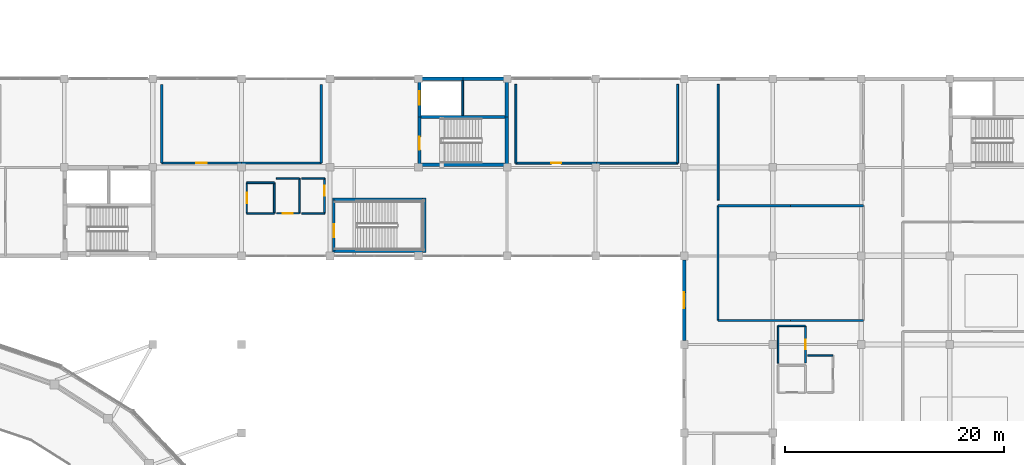
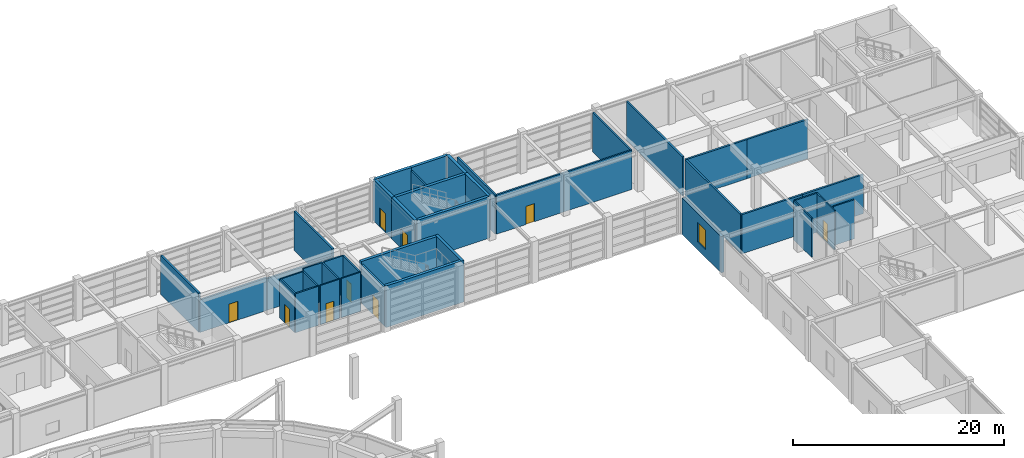
# One storey, part 46 of 58: 42 walls, 9 doors, 1 window, 10 openings.
"""IFC4 building model written with IfcOpenShell, lengths in metres."""

from ifc_helpers import new_model, si_unit, direction, frame, frame_2d, origin, place, context, subcontext, project, spatial, rectangle, extrude, material, layer, layer_set, type_object, element, fill, save


model = new_model("IFC4")

# Units and contexts
model_context = context("Model", 3, precision=1e-05, world=origin(), true_north=direction((0.0, 1.0)))
body_context = subcontext(model_context, "Body", "Model", "MODEL_VIEW")
ifc_project = project(units=[si_unit("LENGTHUNIT", "METRE"), si_unit("AREAUNIT", "SQUARE_METRE"), si_unit("VOLUMEUNIT", "CUBIC_METRE"), si_unit("PLANEANGLEUNIT", "RADIAN"), si_unit("MASSUNIT", "GRAM", prefix="KILO")], contexts=[model_context])

# Site, building, storey
site_placement = place(None, origin())
site = spatial("IfcSite", under=ifc_project, at=site_placement, CompositionType="ELEMENT")
building_placement = place(site_placement, origin())
building = spatial("IfcBuilding", under=site, at=building_placement, Name="Parian Resonance Hall", CompositionType="ELEMENT")
storey_placement = place(building_placement, frame((0.0, 0.0, 10.199951171875)))
storey = spatial("IfcBuildingStorey", under=building, at=storey_placement, Name="L02", CompositionType="ELEMENT", Elevation=10.199951171875)

# Wall, opening, door
ifc_material_1 = material(Name="Concrete C40/50", Category="concrete")
ifc_layer_1 = layer(ifc_material_1, 0.31005859375)
ifc_layer_set_1 = layer_set([ifc_layer_1], Name="Concrete C40/50")
wall_type_1 = type_object("IfcWallType", Name="CW310", PredefinedType="SHEAR", material=ifc_layer_set_1)
wall_1_placement = place(storey_placement, frame((89.18994140625, 81.25, 0.0), z_axis=(0.0, 0.0, 1.0), x_axis=(0.0, 1.0, 0.0)))
wall_1 = element("IfcWall", 1, at=wall_1_placement, inside=storey, type_object=wall_type_1, Name="Core K5 stairwell west shear wall L02", PredefinedType="SHEAR", context=body_context, shape_type="SweptSolid", body=[
    extrude(rectangle(XDim=4.360107421875, YDim=0.31005859375, at=frame_2d((2.18017578125, 0.0))), origin(), (0.0, 0.0, 1.0), 4.800048828125),
])
opening_1_placement = place(wall_1_placement, frame((1.35009765625, 0.0, 0.0)))
opening_1 = element("IfcOpeningElement", 2, at=opening_1_placement, cuts=wall_1, Name="Opening FD-01", PredefinedType="OPENING", context=body_context, shape_type="SweptSolid", body=[
    extrude(rectangle(XDim=1.199951171875, YDim=2.25, at=frame_2d((0.60009765625, 1.125))), frame((0.0, 0.1650390625, 0.0), z_axis=(0.0, -1.0, 0.0), x_axis=(1.0, 0.0, 0.0)), (0.0, 0.0, 1.0), 0.330078125),
])
ifc_material_2 = material(Name="Fire-rated acoustic steel and narra timber door", Category="steel")
door_type_1 = type_object("IfcDoorType", Name="FD-01", OperationType="NOTDEFINED", PredefinedType="DOOR", material=ifc_material_2)
door_1_placement = place(opening_1_placement, origin())
door_1 = element("IfcDoor", 3, at=door_1_placement, inside=storey, type_object=door_type_1, Name="Exit stair ST-05 fire door L02", OperationType="SINGLE_SWING_RIGHT", OverallHeight=2.25, OverallWidth=1.199951171875, PredefinedType="DOOR", context=body_context, shape_type="SweptSolid", body=[
    extrude(rectangle(XDim=1.199951171875, YDim=2.25, at=frame_2d((0.60009765625, 1.125))), frame((0.0, 0.02490234375, 0.0), z_axis=(0.0, -1.0, 0.0), x_axis=(1.0, 0.0, 0.0)), (0.0, 0.0, 1.0), 0.050048828125),
])
fill(opening_1, door_1)

wall_2_placement = place(storey_placement, frame((89.18994140625, 85.610107421875, 0.0), z_axis=(0.0, 0.0, 1.0), x_axis=(0.0, 1.0, 0.0)))
wall_2 = element("IfcWall", 4, at=wall_2_placement, inside=storey, type_object=wall_type_1, Name="Core K5 lift shaft west shear wall L02", PredefinedType="SHEAR", context=body_context, shape_type="SweptSolid", body=[
    extrude(rectangle(XDim=3.489990234375, YDim=0.31005859375, at=frame_2d((1.7451171875, 0.0))), origin(), (0.0, 0.0, 1.0), 4.800048828125),
])
opening_2_placement = place(wall_2_placement, frame((1.14501953125, 0.0, 0.0)))
opening_2 = element("IfcOpeningElement", 5, at=opening_2_placement, cuts=wall_2, Name="Opening LD-01", PredefinedType="OPENING", context=body_context, shape_type="SweptSolid", body=[
    extrude(rectangle(XDim=1.199951171875, YDim=2.199951171875, at=frame_2d((0.60009765625, 1.10009765625))), frame((0.0, 0.1650390625, 0.0), z_axis=(0.0, -1.0, 0.0), x_axis=(1.0, 0.0, 0.0)), (0.0, 0.0, 1.0), 0.330078125),
])
ifc_material_3 = material(Name="Stainless steel and bronze elevator cab", Category="steel")
door_type_2 = type_object("IfcDoorType", Name="DOOR-LIFT-1200x2200", OperationType="SLIDING_TO_LEFT", PredefinedType="DOOR", material=ifc_material_3)
door_2_placement = place(opening_2_placement, origin())
door_2 = element("IfcDoor", 6, at=door_2_placement, inside=storey, type_object=door_type_2, Name="Lift LF-06 sliding landing door L02", OperationType="SLIDING_TO_LEFT", OverallHeight=2.199951171875, OverallWidth=1.199951171875, PredefinedType="DOOR", context=body_context, shape_type="SweptSolid", body=[
    extrude(rectangle(XDim=1.199951171875, YDim=2.199951171875, at=frame_2d((0.60009765625, 1.10009765625))), frame((0.0, 0.02490234375, 0.0), z_axis=(0.0, -1.0, 0.0), x_axis=(1.0, 0.0, 0.0)), (0.0, 0.0, 1.0), 0.050048828125),
])
fill(opening_2, door_2)

# Walls
wall_3_placement = place(storey_placement, frame((89.18994140625, 89.10009765625, 0.0), z_axis=(0.0, 0.0, 1.0), x_axis=(1.0, 0.0, 0.0)))
element("IfcWall", 7, at=wall_3_placement, inside=storey, type_object=wall_type_1, Name="Core K5 north-west shaft wall L02", PredefinedType="SHEAR", context=body_context, shape_type="SweptSolid", body=[
    extrude(rectangle(XDim=3.9599609375, YDim=0.31005859375, at=frame_2d((1.97998046875, 0.0))), origin(), (0.0, 0.0, 1.0), 4.800048828125),
])
wall_4_placement = place(storey_placement, frame((93.14990234375, 89.10009765625, 0.0), z_axis=(0.0, 0.0, 1.0), x_axis=(1.0, 0.0, 0.0)))
element("IfcWall", 8, at=wall_4_placement, inside=storey, type_object=wall_type_1, Name="Core K5 north-east shaft wall L02", PredefinedType="SHEAR", context=body_context, shape_type="SweptSolid", body=[
    extrude(rectangle(XDim=4.02001953125, YDim=0.31005859375, at=frame_2d((2.010009765625, 0.0))), origin(), (0.0, 0.0, 1.0), 4.800048828125),
])
wall_5_placement = place(storey_placement, frame((97.169921875, 89.10009765625, 0.0), z_axis=(0.0, 0.0, 1.0), x_axis=(0.0, -1.0, 0.0)))
element("IfcWall", 9, at=wall_5_placement, inside=storey, type_object=wall_type_1, Name="Core K5 east shaft wall L02", PredefinedType="SHEAR", context=body_context, shape_type="SweptSolid", body=[
    extrude(rectangle(XDim=3.489990234375, YDim=0.31005859375, at=frame_2d((1.7451171875, 0.0))), origin(), (0.0, 0.0, 1.0), 4.800048828125),
])
wall_6_placement = place(storey_placement, frame((97.169921875, 85.610107421875, 0.0), z_axis=(0.0, 0.0, 1.0), x_axis=(0.0, -1.0, 0.0)))
element("IfcWall", 10, at=wall_6_placement, inside=storey, type_object=wall_type_1, Name="Core K5 stairwell east wall L02", PredefinedType="SHEAR", context=body_context, shape_type="SweptSolid", body=[
    extrude(rectangle(XDim=4.360107421875, YDim=0.31005859375, at=frame_2d((2.18017578125, 0.0))), origin(), (0.0, 0.0, 1.0), 4.800048828125),
])
for number, where, z_axis, x_axis, name in (
    (11, (97.169921875, 81.25, 0.0), (0.0, 0.0, 1.0), (-1.0, 0.0, 0.0), "Core K5 stairwell south wall L02"),
    (12, (89.18994140625, 85.610107421875, 0.0), (0.0, 0.0, 1.0), (1.0, 0.0, 0.0), "Core K5 stair-lift divider wall L02"),
):
    element("IfcWall", number, at=place(storey_placement, frame(where, z_axis=z_axis, x_axis=x_axis)), inside=storey, type_object=wall_type_1, Name=name, PredefinedType="SHEAR", context=body_context, shape_type="SweptSolid", body=[
        extrude(rectangle(XDim=7.97998046875, YDim=0.31005859375, at=frame_2d((3.989990234375, 0.0))), origin(), (0.0, 0.0, 1.0), 4.800048828125),
    ])
wall_7_placement = place(storey_placement, frame((81.25, 73.35009765625, 0.0), z_axis=(0.0, 0.0, 1.0), x_axis=(1.0, 0.0, 0.0)))
element("IfcWall", 13, at=wall_7_placement, inside=storey, type_object=wall_type_1, Name="Enclosed foyer exit stair ST-08 shear wall L02-S", PredefinedType="SHEAR", context=body_context, shape_type="SweptSolid", body=[
    extrude(rectangle(XDim=8.544921875, YDim=0.31005859375, at=frame_2d((4.2724609375, 0.0))), origin(), (0.0, 0.0, 1.0), 4.800048828125),
])
wall_8_placement = place(storey_placement, frame((89.639892578125, 73.195068359375, 0.0), z_axis=(0.0, 0.0, 1.0), x_axis=(0.0, 1.0, 0.0)))
element("IfcWall", 14, at=wall_8_placement, inside=storey, type_object=wall_type_1, Name="Enclosed foyer exit stair ST-08 shear wall L02-E", PredefinedType="SHEAR", context=body_context, shape_type="SweptSolid", body=[
    extrude(rectangle(XDim=4.989990234375, YDim=0.31005859375, at=frame_2d((2.4951171875, 0.0))), origin(), (0.0, 0.0, 1.0), 4.800048828125),
])
wall_9_placement = place(storey_placement, frame((89.794921875, 78.030029296875, 0.0), z_axis=(0.0, 0.0, 1.0), x_axis=(-1.0, 0.0, 0.0)))
element("IfcWall", 15, at=wall_9_placement, inside=storey, type_object=wall_type_1, Name="Enclosed foyer exit stair ST-08 shear wall L02-N", PredefinedType="SHEAR", context=body_context, shape_type="SweptSolid", body=[
    extrude(rectangle(XDim=8.544921875, YDim=0.31005859375, at=frame_2d((4.2724609375, 0.0))), origin(), (0.0, 0.0, 1.0), 4.800048828125),
])

# Wall, opening, window
ifc_material_4 = material(Name="Concrete C35/45 with Carcar coral-limestone ashlar", Category="masonry")
ifc_layer_2 = layer(ifc_material_4, 0.340087890625)
ifc_layer_set_2 = layer_set([ifc_layer_2], Name="Concrete C35/45 with Carcar coral-limestone ashlar")
wall_type_2 = type_object("IfcWallType", Name="EW-STONE-340", PredefinedType="SOLIDWALL", material=ifc_layer_set_2)
wall_10_placement = place(storey_placement, frame((113.39990234375, 72.550048828125, 0.0), z_axis=(0.0, 0.0, 1.0), x_axis=(0.0, -1.0, 0.0)))
wall_10 = element("IfcWall", 16, at=wall_10_placement, inside=storey, type_object=wall_type_2, Name="Perimeter closure wall L02", PredefinedType="SOLIDWALL", context=body_context, shape_type="SweptSolid", body=[
    extrude(rectangle(XDim=7.400146484375, YDim=0.340087890625, at=frame_2d((3.7001953125, 0.0))), origin(), (0.0, 0.0, 1.0), 4.18701171875),
])
opening_3_placement = place(wall_10_placement, frame((2.97509765625, 0.0, 0.89990234375)))
opening_3 = element("IfcOpeningElement", 17, at=opening_3_placement, cuts=wall_10, Name="Opening WN-23", PredefinedType="OPENING", context=body_context, shape_type="SweptSolid", body=[
    extrude(rectangle(XDim=1.449951171875, YDim=2.25, at=frame_2d((0.72509765625, 1.125))), frame((0.0, 0.179931640625, 0.0), z_axis=(0.0, -1.0, 0.0), x_axis=(1.0, 0.0, 0.0)), (0.0, 0.0, 1.0), 0.360107421875),
])
ifc_material_5 = material(Name="Acoustic laminated double glazing", Category="glass")
window_type = type_object("IfcWindowType", Name="WIN-1450x2250", PartitioningType="SINGLE_PANEL", PredefinedType="WINDOW", material=ifc_material_5)
window_placement = place(opening_3_placement, origin())
window = element("IfcWindow", 18, at=window_placement, inside=storey, type_object=window_type, Name="Acoustic window L02-0097", OverallHeight=2.25, OverallWidth=1.449951171875, PartitioningType="SINGLE_PANEL", PredefinedType="WINDOW", context=body_context, shape_type="SweptSolid", body=[
    extrude(rectangle(XDim=1.449951171875, YDim=2.25, at=frame_2d((0.72509765625, 1.125))), frame((0.0, 0.030029296875, 0.0), z_axis=(0.0, -1.0, 0.0), x_axis=(1.0, 0.0, 0.0)), (0.0, 0.0, 1.0), 0.06005859375),
])
fill(opening_3, window)

# Wall, opening, door
ifc_material_6 = material(Name="Concrete C35/45 fire barrier", Category="concrete")
ifc_layer_3 = layer(ifc_material_6, 0.199951171875)
ifc_layer_set_3 = layer_set([ifc_layer_3], Name="Concrete C35/45 fire barrier")
wall_type_3 = type_object("IfcWallType", Name="FW200", PredefinedType="PARTITIONING", material=ifc_layer_set_3)
wall_11_placement = place(storey_placement, frame((81.35009765625, 73.35009765625, 0.0), z_axis=(0.0, 0.0, 1.0), x_axis=(0.0, 1.0, 0.0)))
wall_11 = element("IfcWall", 19, at=wall_11_placement, inside=storey, type_object=wall_type_3, Name="Enclosed foyer exit stair ST-08 fire-door front wall L02", PredefinedType="PARTITIONING", context=body_context, shape_type="SweptSolid", body=[
    extrude(rectangle(XDim=4.679931640625, YDim=0.199951171875, at=frame_2d((2.33984375, 0.0))), origin(), (0.0, 0.0, 1.0), 4.449951171875),
])
opening_4_placement = place(wall_11_placement, frame((1.25, 0.0, 0.0)))
opening_4 = element("IfcOpeningElement", 20, at=opening_4_placement, cuts=wall_11, Name="Opening FD-01", PredefinedType="OPENING", context=body_context, shape_type="SweptSolid", body=[
    extrude(rectangle(XDim=1.199951171875, YDim=2.25, at=frame_2d((0.60009765625, 1.125))), frame((0.0, 0.10986328125, 0.0), z_axis=(0.0, -1.0, 0.0), x_axis=(1.0, 0.0, 0.0)), (0.0, 0.0, 1.0), 0.219970703125),
])
door_3_placement = place(opening_4_placement, origin())
door_3 = element("IfcDoor", 21, at=door_3_placement, inside=storey, type_object=door_type_1, Name="Exit stair ST-08 fire door L02", OperationType="SINGLE_SWING_RIGHT", OverallHeight=2.25, OverallWidth=1.199951171875, PredefinedType="DOOR", context=body_context, shape_type="SweptSolid", body=[
    extrude(rectangle(XDim=1.199951171875, YDim=2.25, at=frame_2d((0.60009765625, 1.125))), frame((0.0, 0.02490234375, 0.0), z_axis=(0.0, -1.0, 0.0), x_axis=(1.0, 0.0, 0.0)), (0.0, 0.0, 1.0), 0.050048828125),
])
fill(opening_4, door_3)

# Walls
wall_12_placement = place(storey_placement, frame((80.199951171875, 88.60009765625, 0.0), z_axis=(0.0, 0.0, 1.0), x_axis=(0.0, -1.0, 0.0)))
element("IfcWall", 22, at=wall_12_placement, inside=storey, type_object=wall_type_3, Name="Interior acoustic partition IW-L02-0183", PredefinedType="PARTITIONING", context=body_context, shape_type="SweptSolid", body=[
    extrude(rectangle(XDim=7.2001953125, YDim=0.199951171875, at=frame_2d((3.60009765625, 0.0))), origin(), (0.0, 0.0, 1.0), 4.52001953125),
])
wall_13_placement = place(storey_placement, frame((80.199951171875, 81.39990234375, 0.0), z_axis=(0.0, 0.0, 1.0), x_axis=(-1.0, 0.0, 0.0)))
element("IfcWall", 23, at=wall_13_placement, inside=storey, type_object=wall_type_3, Name="Interior acoustic partition IW-L02-0184", PredefinedType="PARTITIONING", context=body_context, shape_type="SweptSolid", body=[
    extrude(rectangle(XDim=7.300048828125, YDim=0.199951171875, at=frame_2d((3.64990234375, 0.0))), origin(), (0.0, 0.0, 1.0), 3.654052734375),
])

# Wall, opening, door
wall_14_placement = place(storey_placement, frame((72.89990234375, 81.39990234375, 0.0), z_axis=(0.0, 0.0, 1.0), x_axis=(-1.0, 0.0, 0.0)))
wall_14 = element("IfcWall", 24, at=wall_14_placement, inside=storey, type_object=wall_type_3, Name="Interior acoustic partition IW-L02-0185", PredefinedType="PARTITIONING", context=body_context, shape_type="SweptSolid", body=[
    extrude(rectangle(XDim=7.2998046875, YDim=0.199951171875, at=frame_2d((3.64990234375, 0.0))), origin(), (0.0, 0.0, 1.0), 3.754150390625),
])
opening_5_placement = place(wall_14_placement, frame((3.169921875, 0.0, 0.0)))
opening_5 = element("IfcOpeningElement", 25, at=opening_5_placement, cuts=wall_14, Name="Opening ID-21", PredefinedType="OPENING", context=body_context, shape_type="SweptSolid", body=[
    extrude(rectangle(XDim=0.9599609375, YDim=2.159912109375, at=frame_2d((0.47998046875, 1.080078125))), frame((0.0, 0.10986328125, 0.0), z_axis=(0.0, -1.0, 0.0), x_axis=(1.0, 0.0, 0.0)), (0.0, 0.0, 1.0), 0.219970703125),
])
ifc_material_7 = material(Name="Philippine narra acoustic timber door", Category="wood")
door_type_3 = type_object("IfcDoorType", Name="ID-AWC-0960x2160", OperationType="NOTDEFINED", PredefinedType="DOOR", material=ifc_material_7)
door_4_placement = place(opening_5_placement, origin())
door_4 = element("IfcDoor", 26, at=door_4_placement, inside=storey, type_object=door_type_3, Name="Ensemble Studio 02 door", OperationType="SINGLE_SWING_LEFT", OverallHeight=2.159912109375, OverallWidth=0.9599609375, PredefinedType="DOOR", context=body_context, shape_type="SweptSolid", body=[
    extrude(rectangle(XDim=0.9599609375, YDim=2.159912109375, at=frame_2d((0.47998046875, 1.080078125))), frame((0.0, 0.02490234375, 0.0), z_axis=(0.0, -1.0, 0.0), x_axis=(1.0, 0.0, 0.0)), (0.0, 0.0, 1.0), 0.050048828125),
])
fill(opening_5, door_4)

# Walls
wall_15_placement = place(storey_placement, frame((65.60009765625, 81.39990234375, 0.0), z_axis=(0.0, 0.0, 1.0), x_axis=(0.0, 1.0, 0.0)))
element("IfcWall", 27, at=wall_15_placement, inside=storey, type_object=wall_type_3, Name="Interior acoustic partition IW-L02-0186", PredefinedType="PARTITIONING", context=body_context, shape_type="SweptSolid", body=[
    extrude(rectangle(XDim=7.2001953125, YDim=0.199951171875, at=frame_2d((3.60009765625, 0.0))), origin(), (0.0, 0.0, 1.0), 4.52001953125),
])
wall_16_placement = place(storey_placement, frame((129.800048828125, 67.0, 0.0), z_axis=(0.0, 0.0, 1.0), x_axis=(-1.0, 0.0, 0.0)))
element("IfcWall", 28, at=wall_16_placement, inside=storey, type_object=wall_type_3, Name="Interior acoustic partition IW-L02-0198", PredefinedType="PARTITIONING", context=body_context, shape_type="SweptSolid", body=[
    extrude(rectangle(XDim=6.650146484375, YDim=0.199951171875, at=frame_2d((3.3251953125, 0.0))), origin(), (0.0, 0.0, 1.0), 4.52001953125),
])
wall_17_placement = place(storey_placement, frame((123.14990234375, 67.0, 0.0), z_axis=(0.0, 0.0, 1.0), x_axis=(-1.0, 0.0, 0.0)))
element("IfcWall", 29, at=wall_17_placement, inside=storey, type_object=wall_type_3, Name="Interior acoustic partition IW-L02-0199", PredefinedType="PARTITIONING", context=body_context, shape_type="SweptSolid", body=[
    extrude(rectangle(XDim=6.64990234375, YDim=0.199951171875, at=frame_2d((3.324951171875, 0.0))), origin(), (0.0, 0.0, 1.0), 4.52001953125),
])
wall_18_placement = place(storey_placement, frame((116.5, 67.0, 0.0), z_axis=(0.0, 0.0, 1.0), x_axis=(0.0, 1.0, 0.0)))
element("IfcWall", 30, at=wall_18_placement, inside=storey, type_object=wall_type_3, Name="Interior acoustic partition IW-L02-0200", PredefinedType="PARTITIONING", context=body_context, shape_type="SweptSolid", body=[
    extrude(rectangle(XDim=10.5, YDim=0.199951171875, at=frame_2d((5.25, 0.0))), origin(), (0.0, 0.0, 1.0), 4.52001953125),
])
wall_19_placement = place(storey_placement, frame((116.5, 77.5, 0.0), z_axis=(0.0, 0.0, 1.0), x_axis=(1.0, 0.0, 0.0)))
element("IfcWall", 31, at=wall_19_placement, inside=storey, type_object=wall_type_3, Name="Interior acoustic partition IW-L02-0201", PredefinedType="PARTITIONING", context=body_context, shape_type="SweptSolid", body=[
    extrude(rectangle(XDim=6.64990234375, YDim=0.199951171875, at=frame_2d((3.324951171875, 0.0))), origin(), (0.0, 0.0, 1.0), 4.52001953125),
])
wall_20_placement = place(storey_placement, frame((123.14990234375, 77.5, 0.0), z_axis=(0.0, 0.0, 1.0), x_axis=(1.0, 0.0, 0.0)))
element("IfcWall", 32, at=wall_20_placement, inside=storey, type_object=wall_type_3, Name="Interior acoustic partition IW-L02-0202", PredefinedType="PARTITIONING", context=body_context, shape_type="SweptSolid", body=[
    extrude(rectangle(XDim=6.650146484375, YDim=0.199951171875, at=frame_2d((3.3251953125, 0.0))), origin(), (0.0, 0.0, 1.0), 4.52001953125),
])
ifc_material_8 = material(Name="Concrete C35/45 acoustic plumbing chase wall", Category="concrete")
ifc_layer_4 = layer(ifc_material_8, 0.14990234375)
ifc_layer_set_4 = layer_set([ifc_layer_4], Name="Concrete C35/45 acoustic plumbing chase wall")
wall_type_4 = type_object("IfcWallType", Name="PW150", PredefinedType="PLUMBINGWALL", material=ifc_layer_set_4)
wall_21_placement = place(storey_placement, frame((93.14990234375, 85.77001953125, 0.0), z_axis=(0.0, 0.0, 1.0), x_axis=(0.0, 1.0, 0.0)))
element("IfcWall", 33, at=wall_21_placement, inside=storey, type_object=wall_type_4, Name="Core K5 shaft plumbing/riser divider L02", PredefinedType="PLUMBINGWALL", context=body_context, shape_type="SweptSolid", body=[
    extrude(rectangle(XDim=3.169921875, YDim=0.14990234375, at=frame_2d((1.5849609375, 0.0))), origin(), (0.0, 0.0, 1.0), 4.449951171875),
])
wall_22_placement = place(storey_placement, frame((75.89990234375, 79.60009765625, 0.0), z_axis=(0.0, 0.0, 1.0), x_axis=(0.0, -1.0, 0.0)))
element("IfcWall", 34, at=wall_22_placement, inside=storey, type_object=wall_type_4, Name="Interior acoustic partition IW-L02-0160", PredefinedType="PLUMBINGWALL", context=body_context, shape_type="SweptSolid", body=[
    extrude(rectangle(XDim=2.800048828125, YDim=0.14990234375, at=frame_2d((1.39990234375, 0.0))), origin(), (0.0, 0.0, 1.0), 4.52001953125),
])
wall_23_placement = place(storey_placement, frame((75.89990234375, 76.800048828125, 0.0), z_axis=(0.0, 0.0, 1.0), x_axis=(-1.0, 0.0, 0.0)))
element("IfcWall", 35, at=wall_23_placement, inside=storey, type_object=wall_type_4, Name="Interior acoustic partition IW-L02-0161", PredefinedType="PLUMBINGWALL", context=body_context, shape_type="SweptSolid", body=[
    extrude(rectangle(XDim=2.5, YDim=0.14990234375, at=frame_2d((1.25, 0.0))), origin(), (0.0, 0.0, 1.0), 4.52001953125),
])

# Wall, opening, door
wall_24_placement = place(storey_placement, frame((73.39990234375, 76.800048828125, 0.0), z_axis=(0.0, 0.0, 1.0), x_axis=(0.0, 1.0, 0.0)))
wall_24 = element("IfcWall", 36, at=wall_24_placement, inside=storey, type_object=wall_type_4, Name="Interior acoustic partition IW-L02-0162", PredefinedType="PLUMBINGWALL", context=body_context, shape_type="SweptSolid", body=[
    extrude(rectangle(XDim=2.800048828125, YDim=0.14990234375, at=frame_2d((1.39990234375, 0.0))), origin(), (0.0, 0.0, 1.0), 4.52001953125),
])
opening_6_placement = place(wall_24_placement, frame((0.919921875, 0.0, 0.0)))
opening_6 = element("IfcOpeningElement", 37, at=opening_6_placement, cuts=wall_24, Name="Opening ID-21", PredefinedType="OPENING", context=body_context, shape_type="SweptSolid", body=[
    extrude(rectangle(XDim=0.9599609375, YDim=2.159912109375, at=frame_2d((0.47998046875, 1.080078125))), frame((0.0, 0.0849609375, 0.0), z_axis=(0.0, -1.0, 0.0), x_axis=(1.0, 0.0, 0.0)), (0.0, 0.0, 1.0), 0.169921875),
])
door_5_placement = place(opening_6_placement, origin())
door_5 = element("IfcDoor", 38, at=door_5_placement, inside=storey, type_object=door_type_3, Name="Accessible WC W1 door", OperationType="SINGLE_SWING_RIGHT", OverallHeight=2.159912109375, OverallWidth=0.9599609375, PredefinedType="DOOR", context=body_context, shape_type="SweptSolid", body=[
    extrude(rectangle(XDim=0.9599609375, YDim=2.159912109375, at=frame_2d((0.47998046875, 1.080078125))), frame((0.0, 0.02490234375, 0.0), z_axis=(0.0, -1.0, 0.0), x_axis=(1.0, 0.0, 0.0)), (0.0, 0.0, 1.0), 0.050048828125),
])
fill(opening_6, door_5)

# Walls
wall_25_placement = place(storey_placement, frame((73.39990234375, 79.60009765625, 0.0), z_axis=(0.0, 0.0, 1.0), x_axis=(1.0, 0.0, 0.0)))
element("IfcWall", 39, at=wall_25_placement, inside=storey, type_object=wall_type_4, Name="Interior acoustic partition IW-L02-0163", PredefinedType="PLUMBINGWALL", context=body_context, shape_type="SweptSolid", body=[
    extrude(rectangle(XDim=2.5, YDim=0.14990234375, at=frame_2d((1.25, 0.0))), origin(), (0.0, 0.0, 1.0), 4.52001953125),
])
wall_26_placement = place(storey_placement, frame((78.199951171875, 80.0, 0.0), z_axis=(0.0, 0.0, 1.0), x_axis=(0.0, -1.0, 0.0)))
element("IfcWall", 40, at=wall_26_placement, inside=storey, type_object=wall_type_4, Name="Interior acoustic partition IW-L02-0164", PredefinedType="PLUMBINGWALL", context=body_context, shape_type="SweptSolid", body=[
    extrude(rectangle(XDim=3.199951171875, YDim=0.14990234375, at=frame_2d((1.60009765625, 0.0))), origin(), (0.0, 0.0, 1.0), 4.52001953125),
])

# Wall, opening, door
wall_27_placement = place(storey_placement, frame((78.199951171875, 76.800048828125, 0.0), z_axis=(0.0, 0.0, 1.0), x_axis=(-1.0, 0.0, 0.0)))
wall_27 = element("IfcWall", 41, at=wall_27_placement, inside=storey, type_object=wall_type_4, Name="Interior acoustic partition IW-L02-0165", PredefinedType="PLUMBINGWALL", context=body_context, shape_type="SweptSolid", body=[
    extrude(rectangle(XDim=2.099853515625, YDim=0.14990234375, at=frame_2d((1.0498046875, 0.0))), origin(), (0.0, 0.0, 1.0), 4.52001953125),
])
opening_7_placement = place(wall_27_placement, frame((0.60009765625, 0.0, 0.0)))
opening_7 = element("IfcOpeningElement", 42, at=opening_7_placement, cuts=wall_27, Name="Opening ID-23", PredefinedType="OPENING", context=body_context, shape_type="SweptSolid", body=[
    extrude(rectangle(XDim=0.89990234375, YDim=2.199951171875, at=frame_2d((0.449951171875, 1.10009765625))), frame((0.0, 0.0849609375, 0.0), z_axis=(0.0, -1.0, 0.0), x_axis=(1.0, 0.0, 0.0)), (0.0, 0.0, 1.0), 0.169921875),
])
ifc_material_9 = material(Name="Philippine narra acoustic timber door", Category="wood")
door_type_4 = type_object("IfcDoorType", Name="ID-WC-0900x2200", OperationType="NOTDEFINED", PredefinedType="DOOR", material=ifc_material_9)
door_6_placement = place(opening_7_placement, origin())
door_6 = element("IfcDoor", 43, at=door_6_placement, inside=storey, type_object=door_type_4, Name="Male Restroom W1 door", OperationType="SINGLE_SWING_LEFT", OverallHeight=2.199951171875, OverallWidth=0.89990234375, PredefinedType="DOOR", context=body_context, shape_type="SweptSolid", body=[
    extrude(rectangle(XDim=0.89990234375, YDim=2.199951171875, at=frame_2d((0.449951171875, 1.10009765625))), frame((0.0, 0.02490234375, 0.0), z_axis=(0.0, -1.0, 0.0), x_axis=(1.0, 0.0, 0.0)), (0.0, 0.0, 1.0), 0.050048828125),
])
fill(opening_7, door_6)

# Wall
wall_28_placement = place(storey_placement, frame((76.10009765625, 80.0, 0.0), z_axis=(0.0, 0.0, 1.0), x_axis=(1.0, 0.0, 0.0)))
element("IfcWall", 44, at=wall_28_placement, inside=storey, type_object=wall_type_4, Name="Interior acoustic partition IW-L02-0166", PredefinedType="PLUMBINGWALL", context=body_context, shape_type="SweptSolid", body=[
    extrude(rectangle(XDim=2.099853515625, YDim=0.14990234375, at=frame_2d((1.0498046875, 0.0))), origin(), (0.0, 0.0, 1.0), 4.52001953125),
])

# Wall, opening, door
wall_29_placement = place(storey_placement, frame((80.5, 80.0, 0.0), z_axis=(0.0, 0.0, 1.0), x_axis=(0.0, -1.0, 0.0)))
wall_29 = element("IfcWall", 45, at=wall_29_placement, inside=storey, type_object=wall_type_4, Name="Interior acoustic partition IW-L02-0167", PredefinedType="PLUMBINGWALL", context=body_context, shape_type="SweptSolid", body=[
    extrude(rectangle(XDim=3.199951171875, YDim=0.14990234375, at=frame_2d((1.60009765625, 0.0))), origin(), (0.0, 0.0, 1.0), 4.52001953125),
])
opening_8_placement = place(wall_29_placement, frame((0.669921875, 0.0, 0.0)))
opening_8 = element("IfcOpeningElement", 46, at=opening_8_placement, cuts=wall_29, Name="Opening ID-22", PredefinedType="OPENING", context=body_context, shape_type="SweptSolid", body=[
    extrude(rectangle(XDim=0.89990234375, YDim=2.10009765625, at=frame_2d((0.449951171875, 1.050048828125))), frame((0.0, 0.0849609375, 0.0), z_axis=(0.0, -1.0, 0.0), x_axis=(1.0, 0.0, 0.0)), (0.0, 0.0, 1.0), 0.169921875),
])
ifc_material_10 = material(Name="Philippine narra acoustic timber door", Category="wood")
door_type_5 = type_object("IfcDoorType", Name="ID-WC-0900x2100", OperationType="NOTDEFINED", PredefinedType="DOOR", material=ifc_material_10)
door_7_placement = place(opening_8_placement, origin())
door_7 = element("IfcDoor", 47, at=door_7_placement, inside=storey, type_object=door_type_5, Name="Female Restroom W1 door", OperationType="SINGLE_SWING_RIGHT", OverallHeight=2.10009765625, OverallWidth=0.89990234375, PredefinedType="DOOR", context=body_context, shape_type="SweptSolid", body=[
    extrude(rectangle(XDim=0.89990234375, YDim=2.10009765625, at=frame_2d((0.449951171875, 1.050048828125))), frame((0.0, 0.02490234375, 0.0), z_axis=(0.0, -1.0, 0.0), x_axis=(1.0, 0.0, 0.0)), (0.0, 0.0, 1.0), 0.050048828125),
])
fill(opening_8, door_7)

# Walls
for number, where, z_axis, x_axis, name in (
    (48, (80.5, 76.800048828125, 0.0), (0.0, 0.0, 1.0), (-1.0, 0.0, 0.0), "Interior acoustic partition IW-L02-0168"),
    (49, (78.39990234375, 80.0, 0.0), (0.0, 0.0, 1.0), (1.0, 0.0, 0.0), "Interior acoustic partition IW-L02-0169"),
):
    element("IfcWall", number, at=place(storey_placement, frame(where, z_axis=z_axis, x_axis=x_axis)), inside=storey, type_object=wall_type_4, Name=name, PredefinedType="PLUMBINGWALL", context=body_context, shape_type="SweptSolid", body=[
        extrude(rectangle(XDim=2.10009765625, YDim=0.14990234375, at=frame_2d((1.050048828125, 0.0))), origin(), (0.0, 0.0, 1.0), 4.52001953125),
    ])
wall_30_placement = place(storey_placement, frame((124.699951171875, 63.800048828125, 0.0), z_axis=(0.0, 0.0, 1.0), x_axis=(1.0, 0.0, 0.0)))
element("IfcWall", 50, at=wall_30_placement, inside=storey, type_object=wall_type_4, Name="Interior acoustic partition IW-L02-0176", PredefinedType="PLUMBINGWALL", context=body_context, shape_type="SweptSolid", body=[
    extrude(rectangle(XDim=2.300048828125, YDim=0.14990234375, at=frame_2d((1.14990234375, 0.0))), origin(), (0.0, 0.0, 1.0), 4.52001953125),
])

# Wall, opening, door
wall_31_placement = place(storey_placement, frame((124.5, 66.5, 0.0), z_axis=(0.0, 0.0, 1.0), x_axis=(0.0, -1.0, 0.0)))
wall_31 = element("IfcWall", 51, at=wall_31_placement, inside=storey, type_object=wall_type_4, Name="Interior acoustic partition IW-L02-0177", PredefinedType="PLUMBINGWALL", context=body_context, shape_type="SweptSolid", body=[
    extrude(rectangle(XDim=3.39990234375, YDim=0.14990234375, at=frame_2d((1.699951171875, 0.0))), origin(), (0.0, 0.0, 1.0), 4.52001953125),
])
opening_9_placement = place(wall_31_placement, frame((1.25, 0.0, 0.0)))
opening_9 = element("IfcOpeningElement", 52, at=opening_9_placement, cuts=wall_31, Name="Opening ID-23", PredefinedType="OPENING", context=body_context, shape_type="SweptSolid", body=[
    extrude(rectangle(XDim=0.89990234375, YDim=2.199951171875, at=frame_2d((0.449951171875, 1.10009765625))), frame((0.0, 0.0849609375, 0.0), z_axis=(0.0, -1.0, 0.0), x_axis=(1.0, 0.0, 0.0)), (0.0, 0.0, 1.0), 0.169921875),
])
door_8_placement = place(opening_9_placement, origin())
door_8 = element("IfcDoor", 53, at=door_8_placement, inside=storey, type_object=door_type_4, Name="Male Restroom W2 door", OperationType="SINGLE_SWING_LEFT", OverallHeight=2.199951171875, OverallWidth=0.89990234375, PredefinedType="DOOR", context=body_context, shape_type="SweptSolid", body=[
    extrude(rectangle(XDim=0.89990234375, YDim=2.199951171875, at=frame_2d((0.449951171875, 1.10009765625))), frame((0.0, 0.02490234375, 0.0), z_axis=(0.0, -1.0, 0.0), x_axis=(1.0, 0.0, 0.0)), (0.0, 0.0, 1.0), 0.050048828125),
])
fill(opening_9, door_8)

# Walls
wall_32_placement = place(storey_placement, frame((122.0, 63.10009765625, 0.0), z_axis=(0.0, 0.0, 1.0), x_axis=(0.0, 1.0, 0.0)))
element("IfcWall", 54, at=wall_32_placement, inside=storey, type_object=wall_type_4, Name="Interior acoustic partition IW-L02-0178", PredefinedType="PLUMBINGWALL", context=body_context, shape_type="SweptSolid", body=[
    extrude(rectangle(XDim=3.39990234375, YDim=0.14990234375, at=frame_2d((1.699951171875, 0.0))), origin(), (0.0, 0.0, 1.0), 4.52001953125),
])
wall_33_placement = place(storey_placement, frame((122.0, 66.5, 0.0), z_axis=(0.0, 0.0, 1.0), x_axis=(1.0, 0.0, 0.0)))
element("IfcWall", 55, at=wall_33_placement, inside=storey, type_object=wall_type_4, Name="Interior acoustic partition IW-L02-0179", PredefinedType="PLUMBINGWALL", context=body_context, shape_type="SweptSolid", body=[
    extrude(rectangle(XDim=2.5, YDim=0.14990234375, at=frame_2d((1.25, 0.0))), origin(), (0.0, 0.0, 1.0), 4.52001953125),
])
ifc_material_11 = material(Name="Concrete C35/45 acoustic masonry partition", Category="masonry")
ifc_layer_5 = layer(ifc_material_11, 0.179931640625)
ifc_layer_set_5 = layer_set([ifc_layer_5], Name="Concrete C35/45 acoustic masonry partition")
wall_type_5 = type_object("IfcWallType", Name="PW180", PredefinedType="PARTITIONING", material=ifc_layer_set_5)
wall_34_placement = place(storey_placement, frame((112.800048828125, 88.60009765625, 0.0), z_axis=(0.0, 0.0, 1.0), x_axis=(0.0, -1.0, 0.0)))
element("IfcWall", 56, at=wall_34_placement, inside=storey, type_object=wall_type_5, Name="Interior acoustic partition IW-L02-0187", PredefinedType="PARTITIONING", context=body_context, shape_type="SweptSolid", body=[
    extrude(rectangle(XDim=7.2001953125, YDim=0.179931640625, at=frame_2d((3.60009765625, 0.0))), origin(), (0.0, 0.0, 1.0), 4.52001953125),
])
wall_35_placement = place(storey_placement, frame((112.800048828125, 81.39990234375, 0.0), z_axis=(0.0, 0.0, 1.0), x_axis=(-1.0, 0.0, 0.0)))
element("IfcWall", 57, at=wall_35_placement, inside=storey, type_object=wall_type_5, Name="Interior acoustic partition IW-L02-0188", PredefinedType="PARTITIONING", context=body_context, shape_type="SweptSolid", body=[
    extrude(rectangle(XDim=7.400146484375, YDim=0.179931640625, at=frame_2d((3.7001953125, 0.0))), origin(), (0.0, 0.0, 1.0), 4.52001953125),
])

# Wall, opening, door
wall_36_placement = place(storey_placement, frame((105.39990234375, 81.39990234375, 0.0), z_axis=(0.0, 0.0, 1.0), x_axis=(-1.0, 0.0, 0.0)))
wall_36 = element("IfcWall", 58, at=wall_36_placement, inside=storey, type_object=wall_type_5, Name="Interior acoustic partition IW-L02-0189", PredefinedType="PARTITIONING", context=body_context, shape_type="SweptSolid", body=[
    extrude(rectangle(XDim=7.39990234375, YDim=0.179931640625, at=frame_2d((3.699951171875, 0.0))), origin(), (0.0, 0.0, 1.0), 4.52001953125),
])
opening_10_placement = place(wall_36_placement, frame((3.25, 0.0, 0.0)))
opening_10 = element("IfcOpeningElement", 59, at=opening_10_placement, cuts=wall_36, Name="Opening ID-22", PredefinedType="OPENING", context=body_context, shape_type="SweptSolid", body=[
    extrude(rectangle(XDim=0.89990234375, YDim=2.10009765625, at=frame_2d((0.449951171875, 1.050048828125))), frame((0.0, 0.099853515625, 0.0), z_axis=(0.0, -1.0, 0.0), x_axis=(1.0, 0.0, 0.0)), (0.0, 0.0, 1.0), 0.199951171875),
])
door_9_placement = place(opening_10_placement, origin())
door_9 = element("IfcDoor", 60, at=door_9_placement, inside=storey, type_object=door_type_5, Name="Ensemble Studio 03 door", OperationType="SINGLE_SWING_RIGHT", OverallHeight=2.10009765625, OverallWidth=0.89990234375, PredefinedType="DOOR", context=body_context, shape_type="SweptSolid", body=[
    extrude(rectangle(XDim=0.89990234375, YDim=2.10009765625, at=frame_2d((0.449951171875, 1.050048828125))), frame((0.0, 0.02490234375, 0.0), z_axis=(0.0, -1.0, 0.0), x_axis=(1.0, 0.0, 0.0)), (0.0, 0.0, 1.0), 0.050048828125),
])
fill(opening_10, door_9)

# Walls
wall_37_placement = place(storey_placement, frame((98.0, 81.39990234375, 0.0), z_axis=(0.0, 0.0, 1.0), x_axis=(0.0, 1.0, 0.0)))
element("IfcWall", 61, at=wall_37_placement, inside=storey, type_object=wall_type_5, Name="Interior acoustic partition IW-L02-0190", PredefinedType="PARTITIONING", context=body_context, shape_type="SweptSolid", body=[
    extrude(rectangle(XDim=7.2001953125, YDim=0.179931640625, at=frame_2d((3.60009765625, 0.0))), origin(), (0.0, 0.0, 1.0), 4.52001953125),
])
wall_38_placement = place(storey_placement, frame((116.5, 78.0, 0.0), z_axis=(0.0, 0.0, 1.0), x_axis=(0.0, 1.0, 0.0)))
element("IfcWall", 62, at=wall_38_placement, inside=storey, type_object=wall_type_5, Name="Interior acoustic partition IW-L02-0204", PredefinedType="PARTITIONING", context=body_context, shape_type="SweptSolid", body=[
    extrude(rectangle(XDim=10.60009765625, YDim=0.179931640625, at=frame_2d((5.300048828125, 0.0))), origin(), (0.0, 0.0, 1.0), 4.52001953125),
])

save(model, "model.ifc")
